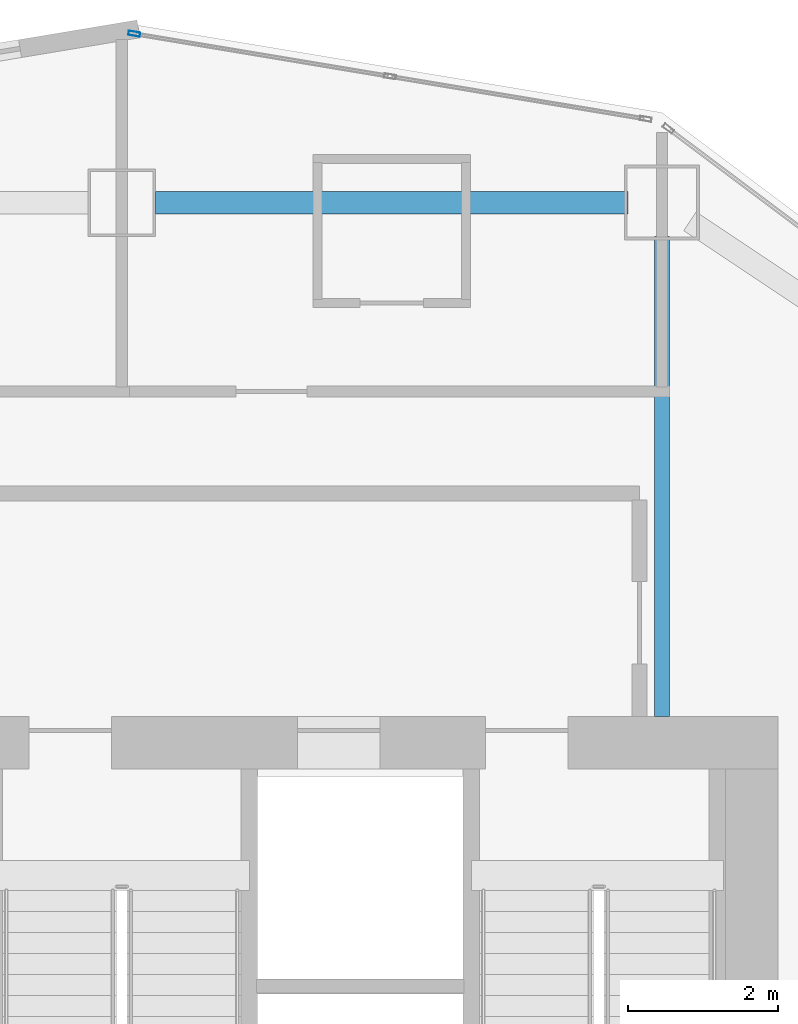
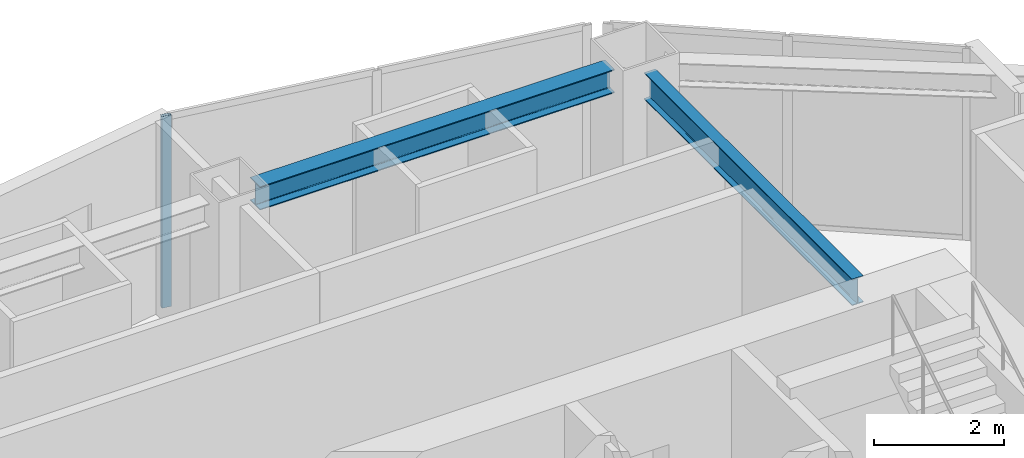
# One storey, part 2 of 16: 2 beams, 1 member, 1 element without a shape of its own.
"""IFC4 building model written with IfcOpenShell, lengths in metres."""

from ifc_helpers import new_model, si_unit, direction, frame, origin, origin_2d, place, context, subcontext, project, spatial, hollow_rectangle, i_section, extrude, material, layer, layer_set, material_profile, profile_set, type_object, element, aggregate, save


model = new_model("IFC4")

# Units and contexts
model_context = context("Model", 3, precision=1e-05, world=origin(), true_north=direction((0.0, 1.0)))
body_context = subcontext(model_context, "Body", "Model", "MODEL_VIEW")
ifc_project = project(units=[si_unit("LENGTHUNIT", "METRE"), si_unit("AREAUNIT", "SQUARE_METRE"), si_unit("VOLUMEUNIT", "CUBIC_METRE"), si_unit("PLANEANGLEUNIT", "RADIAN"), si_unit("MASSUNIT", "GRAM", prefix="KILO")], contexts=[model_context])

# Site, building, storey
site_placement = place(None, origin())
site = spatial("IfcSite", under=ifc_project, at=site_placement, CompositionType="ELEMENT")
building_placement = place(site_placement, origin())
building = spatial("IfcBuilding", under=site, at=building_placement, Name="Haolan Belvedere Tower", CompositionType="ELEMENT")
storey_placement = place(building_placement, frame((0.0, 0.0, 125.0)))
storey = spatial("IfcBuildingStorey", under=building, at=storey_placement, Name="L31", CompositionType="ELEMENT", Elevation=125.0)

# Beams
ifc_material_1 = material(Name="Steel Q355B", Category="steel")
ifc_material_profile_1 = material_profile(ifc_material_1, i_section(OverallWidth=0.300048828125, OverallDepth=0.43994140625, WebThickness=0.010986328125, FlangeThickness=0.01806640625, FilletRadius=0.02392578125, at=origin_2d()), Name="Steel Q355B")
ifc_profile_set_1 = profile_set([ifc_material_profile_1], Name="Steel Q355B")
beam_type_1 = type_object("IfcBeamType", Name="BM-HM440x300x11x18", PredefinedType="SPANDREL", material=ifc_profile_set_1)
beam_1_placement = place(storey_placement, frame((38.85009765625, 50.39990234375, 3.3798828125), z_axis=(1.0, 0.0, 0.0), x_axis=(0.0, 1.0, 0.0)))
element("IfcBeam", 1, at=beam_1_placement, inside=storey, type_object=beam_type_1, Name="L31 spandrel girder TC-T3-NM-MC-T3-N2", PredefinedType="SPANDREL", context=body_context, shape_type="SweptSolid", body=[
    extrude(i_section(OverallWidth=0.300048828125, OverallDepth=0.43994140625, WebThickness=0.010986328125, FlangeThickness=0.01806640625, FilletRadius=0.02392578125, at=origin_2d()), origin(), (0.0, 0.0, 1.0), 6.2998046875),
])
ifc_material_profile_2 = material_profile(ifc_material_1, i_section(OverallWidth=0.199951171875, OverallDepth=0.5, WebThickness=0.010009765625, FlangeThickness=0.01611328125, FilletRadius=0.02001953125, at=origin_2d()), Name="Steel Q355B")
ifc_profile_set_2 = profile_set([ifc_material_profile_2], Name="Steel Q355B")
beam_type_2 = type_object("IfcBeamType", Name="BM-HN500x200x10x16", PredefinedType="BEAM", material=ifc_profile_set_2)
beam_2_placement = place(storey_placement, frame((45.60009765625, 49.949951171875, 3.35009765625), z_axis=(0.0, -1.0, 0.0), x_axis=(1.0, 0.0, 0.0)))
element("IfcBeam", 2, at=beam_2_placement, inside=storey, type_object=beam_type_2, Name="L31 core tie beam from MC-T3-N2", PredefinedType="BEAM", context=body_context, shape_type="SweptSolid", body=[
    extrude(i_section(OverallWidth=0.199951171875, OverallDepth=0.5, WebThickness=0.010009765625, FlangeThickness=0.01611328125, FilletRadius=0.02001953125, at=origin_2d()), origin(), (0.0, 0.0, 1.0), 6.39990234375),
])

# Curtain wall, member
ifc_material_2 = material(Name="Anodised champagne-silver aluminium 6063-T6 and Low-E glass", Category="aluminium")
ifc_layer = layer(ifc_material_2, 0.155029296875, Name="Anodised champagne-silver aluminium 6063-T6 and Low-E glass")
ifc_layer_set = layer_set([ifc_layer], Name="Anodised champagne-silver aluminium 6063-T6 and Low-E glass")
curtain_wall_type = type_object("IfcCurtainWallType", Name="CW-SYS-03", PredefinedType="NOTDEFINED", material=ifc_layer_set)
curtain_wall_placement = place(storey_placement, origin())
curtain_wall = element("IfcCurtainWall", 3, at=curtain_wall_placement, inside=storey, type_object=curtain_wall_type, Name="L31 CW-SYS-03 ribbon curtain wall 27.1", PredefinedType="NOTDEFINED")
ifc_material_3 = material(Name="Anodised aluminium 6063-T6", Category="aluminium")
ifc_material_profile_3 = material_profile(ifc_material_3, hollow_rectangle(XDim=0.05810546875, YDim=0.155029296875, WallThickness=0.00390625, at=origin_2d()), Name="Anodised aluminium 6063-T6")
ifc_profile_set_3 = profile_set([ifc_material_profile_3], Name="Anodised aluminium 6063-T6")
member_type = type_object("IfcMemberType", Name="CW-SYS-03-MUL", PredefinedType="MULLION", material=ifc_profile_set_3)
member_placement = place(storey_placement, frame((38.566650390625, 52.650634765625, 0.0), z_axis=(0.0, 0.0, 1.0), x_axis=(-0.16440364043, -0.9863931483, 0.0)))
member = element("IfcMember", 4, at=member_placement, type_object=member_type, Name="CW-03 mullion 3", PredefinedType="MULLION", context=body_context, shape_type="SweptSolid", body=[
    extrude(hollow_rectangle(XDim=0.05810546875, YDim=0.155029296875, WallThickness=0.00390625, at=origin_2d()), origin(), (0.0, 0.0, 1.0), 3.60009765625),
])
aggregate(curtain_wall, [member])

save(model, "model.ifc")
